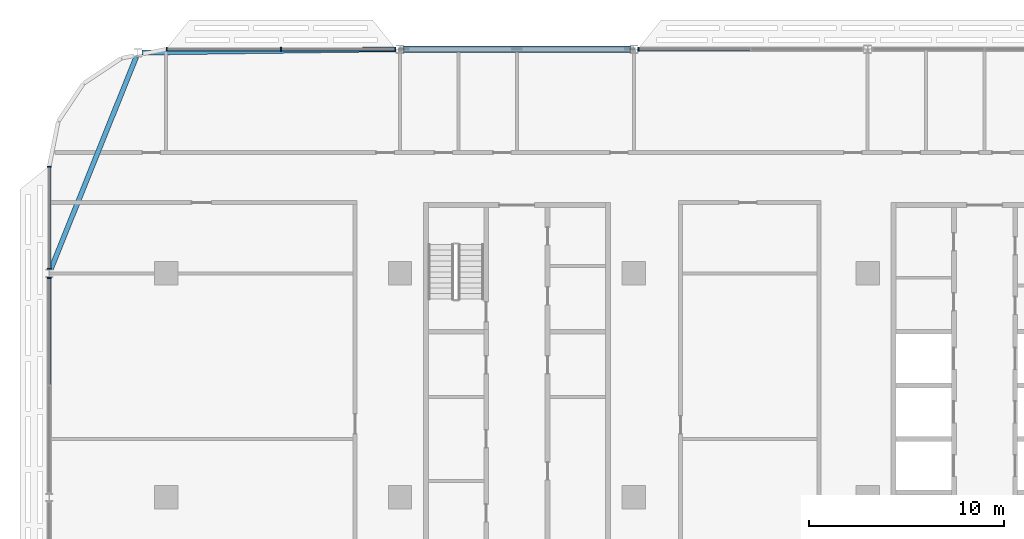
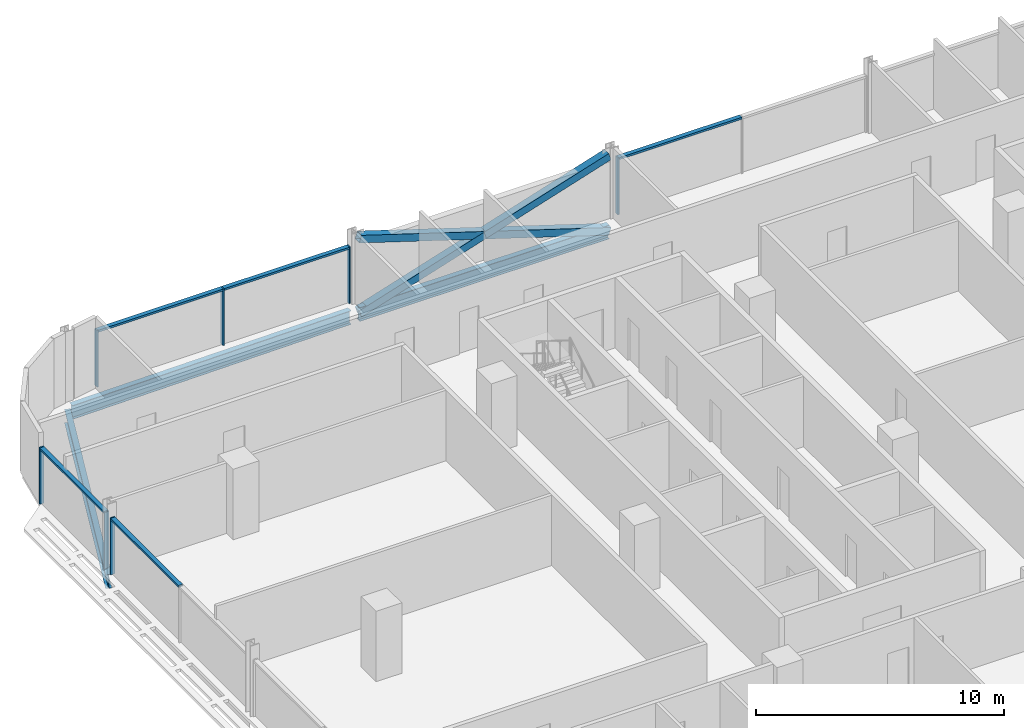
# One storey, part 6 of 27: 15 members, 3 beams, 4 elements without a shape of their own.
"""IFC4 building model written with IfcOpenShell, lengths in metres."""

from ifc_helpers import new_model, si_unit, direction, frame, origin, origin_2d, place, context, subcontext, project, spatial, rectangle, hollow_rectangle, i_section, extrude, material, material_profile, profile_set, type_object, element, aggregate, save


model = new_model("IFC4")

# Units and contexts
model_context = context("Model", 3, precision=1e-05, world=origin(), true_north=direction((0.0, 1.0)))
body_context = subcontext(model_context, "Body", "Model", "MODEL_VIEW")
ifc_project = project(units=[si_unit("LENGTHUNIT", "METRE"), si_unit("AREAUNIT", "SQUARE_METRE"), si_unit("VOLUMEUNIT", "CUBIC_METRE"), si_unit("PLANEANGLEUNIT", "RADIAN"), si_unit("MASSUNIT", "GRAM", prefix="KILO")], contexts=[model_context])

# Site, building, storey
site_placement = place(None, origin())
site = spatial("IfcSite", under=ifc_project, at=site_placement, CompositionType="ELEMENT")
building_placement = place(site_placement, origin())
building = spatial("IfcBuilding", under=site, at=building_placement, Name="Mahtab Terrace Research Tower", CompositionType="ELEMENT")
storey_placement = place(building_placement, frame((0.0, 0.0, 170.60009765625)))
storey = spatial("IfcBuildingStorey", under=building, at=storey_placement, Name="L40", CompositionType="ELEMENT", Elevation=170.60009765625)

# Members
ifc_material_1 = material(Name="Steel ASTM A500 Gr C", Category="steel")
ifc_material_profile_1 = material_profile(ifc_material_1, hollow_rectangle(XDim=0.355712890625, YDim=0.355712890625, WallThickness=0.015869140625, at=origin_2d()), Name="HSS14X14X5/8")
ifc_profile_set_1 = profile_set([ifc_material_profile_1], Name="Steel ASTM A500 Gr C")
member_type_1 = type_object("IfcMemberType", Name="HSS 14x14x5/8 brace XB141458", PredefinedType="BRACE", material=ifc_profile_set_1)
member_1_placement = place(storey_placement, frame((-18.203125, 23.0, -0.61474609375), z_axis=(-0.953347232701, 0.0, 0.301875891554), x_axis=(0.0, -1.0, 0.0)))
element("IfcMember", 1, at=member_1_placement, inside=storey, type_object=member_type_1, Name="Exoskeleton brace L40 06 a", PredefinedType="BRACE", context=body_context, shape_type="SweptSolid", body=[
    extrude(hollow_rectangle(XDim=0.355712890625, YDim=0.355712890625, WallThickness=0.015869140625, at=origin_2d()), origin(), (0.0, 0.0, 1.0), 12.1611328125),
])
for number, where, z_axis, x_axis, name in (
    (2, (-29.796875, 23.0, -0.61474609375), (0.953353010152, 0.0, 0.301857645313), (0.0, 1.0, 0.0), "Exoskeleton brace L40 06 b1"),
    (3, (-24.0, 23.0, 1.220703125), (0.953341454971, 0.0, 0.301894137463), (0.0, 1.0, 0.0), "Exoskeleton brace L40 06 b2"),
):
    element("IfcMember", number, at=place(storey_placement, frame(where, z_axis=z_axis, x_axis=x_axis)), inside=storey, type_object=member_type_1, Name=name, PredefinedType="BRACE", context=body_context, shape_type="SweptSolid", body=[
        extrude(hollow_rectangle(XDim=0.355712890625, YDim=0.355712890625, WallThickness=0.015869140625, at=origin_2d()), origin(), (0.0, 0.0, 1.0), 6.08056640625),
    ])

# Curtain wall, member
ifc_material_2 = material(Name="Laboratory ribbon curtain wall")
curtain_wall_type = type_object("IfcCurtainWallType", Name="Laboratory ribbon curtain wall", PredefinedType="NOTDEFINED", material=ifc_material_2)
curtain_wall_1_placement = place(storey_placement, origin())
curtain_wall_1 = element("IfcCurtainWall", 4, at=curtain_wall_1_placement, inside=storey, type_object=curtain_wall_type, Name="EN.L40.3.7", PredefinedType="NOTDEFINED")
ifc_material_3 = material(Name="Natural anodised aluminium", Category="aluminium")
ifc_material_profile_2 = material_profile(ifc_material_3, rectangle(XDim=0.199951171875, YDim=0.06494140625, at=origin_2d()), Name="MULLION 65x200")
ifc_profile_set_2 = profile_set([ifc_material_profile_2], Name="Natural anodised aluminium")
member_type_2 = type_object("IfcMemberType", Name="Laboratory ribbon curtain wall mullion", PredefinedType="MULLION", material=ifc_profile_set_2)
member_2_placement = place(storey_placement, frame((-17.759521484375, 23.0, 0.0), z_axis=(0.0, 0.0, 1.0), x_axis=(0.0, -1.0, 0.0)))
member_2 = element("IfcMember", 5, at=member_2_placement, type_object=member_type_2, Name="CWL-5 mullion 3", PredefinedType="MULLION", context=body_context, shape_type="SweptSolid", body=[
    extrude(rectangle(XDim=0.199951171875, YDim=0.06494140625, at=origin_2d()), origin(), (0.0, 0.0, 1.0), 2.78173828125),
])

# Curtain wall, members
curtain_wall_2_placement = place(storey_placement, origin())
curtain_wall_2 = element("IfcCurtainWall", 6, at=curtain_wall_2_placement, inside=storey, type_object=curtain_wall_type, Name="EN.L40.3.9", PredefinedType="NOTDEFINED")
member_3_placement = place(storey_placement, frame((-30.240478515625, 23.0, 0.0), z_axis=(0.0, 0.0, 1.0), x_axis=(0.0, -1.0, 0.0)))
member_3 = element("IfcMember", 7, at=member_3_placement, type_object=member_type_2, Name="CWL-5 mullion 1", PredefinedType="MULLION", context=body_context, shape_type="SweptSolid", body=[
    extrude(rectangle(XDim=0.199951171875, YDim=0.06494140625, at=origin_2d()), origin(), (0.0, 0.0, 1.0), 2.78173828125),
])
member_4_placement = place(storey_placement, frame((-36.10400390625, 23.0, 0.0), z_axis=(0.0, 0.0, 1.0), x_axis=(0.0, -1.0, 0.0)))
member_4 = element("IfcMember", 8, at=member_4_placement, type_object=member_type_2, Name="CWL-5 mullion 2", PredefinedType="MULLION", context=body_context, shape_type="SweptSolid", body=[
    extrude(rectangle(XDim=0.199951171875, YDim=0.06494140625, at=origin_2d()), origin(), (0.0, 0.0, 1.0), 2.78173828125),
])
member_5_placement = place(storey_placement, frame((-41.967529296875, 23.0, 0.0), z_axis=(0.0, 0.0, 1.0), x_axis=(0.0, -1.0, 0.0)))
member_5 = element("IfcMember", 9, at=member_5_placement, type_object=member_type_2, Name="CWL-5 mullion 3", PredefinedType="MULLION", context=body_context, shape_type="SweptSolid", body=[
    extrude(rectangle(XDim=0.199951171875, YDim=0.06494140625, at=origin_2d()), origin(), (0.0, 0.0, 1.0), 2.78173828125),
])

curtain_wall_3_placement = place(storey_placement, origin())
curtain_wall_3 = element("IfcCurtainWall", 10, at=curtain_wall_3_placement, inside=storey, type_object=curtain_wall_type, Name="EN.L40.8.15", PredefinedType="NOTDEFINED")
member_6_placement = place(storey_placement, frame((-48.0, 16.967529296875, 0.0), z_axis=(0.0, 0.0, 1.0), x_axis=(1.0, 0.0, 0.0)))
member_6 = element("IfcMember", 11, at=member_6_placement, type_object=member_type_2, Name="CWL-5 mullion 1", PredefinedType="MULLION", context=body_context, shape_type="SweptSolid", body=[
    extrude(rectangle(XDim=0.199951171875, YDim=0.06494140625, at=origin_2d()), origin(), (0.0, 0.0, 1.0), 2.78173828125),
])
member_7_placement = place(storey_placement, frame((-48.0, 11.740478515625, 0.0), z_axis=(0.0, 0.0, 1.0), x_axis=(1.0, 0.0, 0.0)))
member_7 = element("IfcMember", 12, at=member_7_placement, type_object=member_type_2, Name="CWL-5 mullion 2", PredefinedType="MULLION", context=body_context, shape_type="SweptSolid", body=[
    extrude(rectangle(XDim=0.199951171875, YDim=0.06494140625, at=origin_2d()), origin(), (0.0, 0.0, 1.0), 2.78173828125),
])

# Curtain wall, member
curtain_wall_4_placement = place(storey_placement, origin())
curtain_wall_4 = element("IfcCurtainWall", 13, at=curtain_wall_4_placement, inside=storey, type_object=curtain_wall_type, Name="EN.L40.8.16", PredefinedType="NOTDEFINED")
member_8_placement = place(storey_placement, frame((-48.0, 11.259521484375, 0.0), z_axis=(0.0, 0.0, 1.0), x_axis=(1.0, 0.0, 0.0)))
member_8 = element("IfcMember", 14, at=member_8_placement, type_object=member_type_2, Name="CWL-5 mullion 1", PredefinedType="MULLION", context=body_context, shape_type="SweptSolid", body=[
    extrude(rectangle(XDim=0.199951171875, YDim=0.06494140625, at=origin_2d()), origin(), (0.0, 0.0, 1.0), 2.78173828125),
])

# Member
ifc_material_profile_3 = material_profile(ifc_material_3, rectangle(XDim=0.199951171875, YDim=0.10009765625, at=origin_2d()), Name="TRANSOM 100x200")
ifc_profile_set_3 = profile_set([ifc_material_profile_3], Name="Natural anodised aluminium")
member_type_3 = type_object("IfcMemberType", Name="Laboratory ribbon curtain wall transom", PredefinedType="USERDEFINED", material=ifc_profile_set_3)
member_9_placement = place(storey_placement, frame((-12.032470703125, 23.0, 2.731689453125), z_axis=(-1.0, 0.0, 0.0), x_axis=(0.0, -1.0, 0.0)))
member_9 = element("IfcMember", 15, at=member_9_placement, type_object=member_type_3, Name="CWL-5 transom 2", ObjectType="TRANSOM", PredefinedType="USERDEFINED", context=body_context, shape_type="SweptSolid", body=[
    extrude(rectangle(XDim=0.199951171875, YDim=0.10009765625, at=origin_2d()), origin(), (0.0, 0.0, 1.0), 5.694580078125),
])

aggregate(curtain_wall_1, [member_2, member_9])

member_10_placement = place(storey_placement, frame((-30.27294921875, 23.0, 2.731689453125), z_axis=(-1.0, 0.0, 0.0), x_axis=(0.0, -1.0, 0.0)))
member_10 = element("IfcMember", 16, at=member_10_placement, type_object=member_type_3, Name="CWL-5 transom 1", ObjectType="TRANSOM", PredefinedType="USERDEFINED", context=body_context, shape_type="SweptSolid", body=[
    extrude(rectangle(XDim=0.199951171875, YDim=0.10009765625, at=origin_2d()), origin(), (0.0, 0.0, 1.0), 5.798583984375),
])

member_11_placement = place(storey_placement, frame((-36.136474609375, 23.0, 2.731689453125), z_axis=(-1.0, 0.0, 0.0), x_axis=(0.0, -1.0, 0.0)))
member_11 = element("IfcMember", 17, at=member_11_placement, type_object=member_type_3, Name="CWL-5 transom 2", ObjectType="TRANSOM", PredefinedType="USERDEFINED", context=body_context, shape_type="SweptSolid", body=[
    extrude(rectangle(XDim=0.199951171875, YDim=0.10009765625, at=origin_2d()), origin(), (0.0, 0.0, 1.0), 5.798583984375),
])

aggregate(curtain_wall_2, [member_3, member_4, member_5, member_10, member_11])

member_12_placement = place(storey_placement, frame((-48.0, 16.93505859375, 2.731689453125), z_axis=(0.0, -1.0, 0.0), x_axis=(1.0, 0.0, 0.0)))
member_12 = element("IfcMember", 18, at=member_12_placement, type_object=member_type_3, Name="CWL-5 transom 1", ObjectType="TRANSOM", PredefinedType="USERDEFINED", context=body_context, shape_type="SweptSolid", body=[
    extrude(rectangle(XDim=0.199951171875, YDim=0.10009765625, at=origin_2d()), origin(), (0.0, 0.0, 1.0), 5.162109375),
])

aggregate(curtain_wall_3, [member_6, member_7, member_12])

member_13_placement = place(storey_placement, frame((-48.0, 11.22705078125, 2.731689453125), z_axis=(0.0, -1.0, 0.0), x_axis=(1.0, 0.0, 0.0)))
member_13 = element("IfcMember", 19, at=member_13_placement, type_object=member_type_3, Name="CWL-5 transom 1", ObjectType="TRANSOM", PredefinedType="USERDEFINED", context=body_context, shape_type="SweptSolid", body=[
    extrude(rectangle(XDim=0.199951171875, YDim=0.10009765625, at=origin_2d()), origin(), (0.0, 0.0, 1.0), 5.444580078125),
])

aggregate(curtain_wall_4, [member_8, member_13])

# Beams
ifc_material_4 = material(Name="Steel ASTM A992 Gr 50", Category="steel")
ifc_material_profile_4 = material_profile(ifc_material_4, i_section(OverallWidth=0.25390625, OverallDepth=0.67822265625, WebThickness=0.01171875, FlangeThickness=0.016357421875, at=origin_2d()), Name="W27X84")
ifc_profile_set_4 = profile_set([ifc_material_profile_4], Name="Steel ASTM A992 Gr 50")
beam_type = type_object("IfcBeamType", Name="W27x84 beam BS2784", PredefinedType="BEAM", material=ifc_profile_set_4)
beam_1_placement = place(storey_placement, frame((-18.203125, 23.0, -0.67919921875), z_axis=(-1.0, 0.0, 0.0), x_axis=(0.0, -1.0, 0.0)))
element("IfcBeam", 20, at=beam_1_placement, inside=storey, type_object=beam_type, Name="Spandrel beam L40 06", PredefinedType="BEAM", context=body_context, shape_type="SweptSolid", body=[
    extrude(i_section(OverallWidth=0.25390625, OverallDepth=0.67822265625, WebThickness=0.01171875, FlangeThickness=0.016357421875, at=origin_2d()), origin(), (0.0, 0.0, 1.0), 11.59375),
])
beam_2_placement = place(storey_placement, frame((-30.203125, 22.997314453125, -0.67919921875), z_axis=(-0.999912429007, -0.013233832294, 0.0), x_axis=(0.013233832294, -0.999912429007, 0.0)))
element("IfcBeam", 21, at=beam_2_placement, inside=storey, type_object=beam_type, Name="Spandrel beam L40 07", PredefinedType="BEAM", context=body_context, shape_type="SweptSolid", body=[
    extrude(i_section(OverallWidth=0.25390625, OverallDepth=0.67822265625, WebThickness=0.01171875, FlangeThickness=0.016357421875, at=origin_2d()), origin(), (0.0, 0.0, 1.0), 13.04296875),
])
beam_3_placement = place(storey_placement, frame((-43.53173828125, 22.61376953125, -0.67919921875), z_axis=(-0.373026712357, -0.927820603278, 0.0), x_axis=(0.927820603278, -0.373026712357, 0.0)))
element("IfcBeam", 22, at=beam_3_placement, inside=storey, type_object=beam_type, Name="Spandrel beam L40 08", PredefinedType="BEAM", context=body_context, shape_type="SweptSolid", body=[
    extrude(i_section(OverallWidth=0.25390625, OverallDepth=0.67822265625, WebThickness=0.01171875, FlangeThickness=0.016357421875, at=origin_2d()), origin(), (0.0, 0.0, 1.0), 11.75390625),
])

save(model, "model.ifc")
